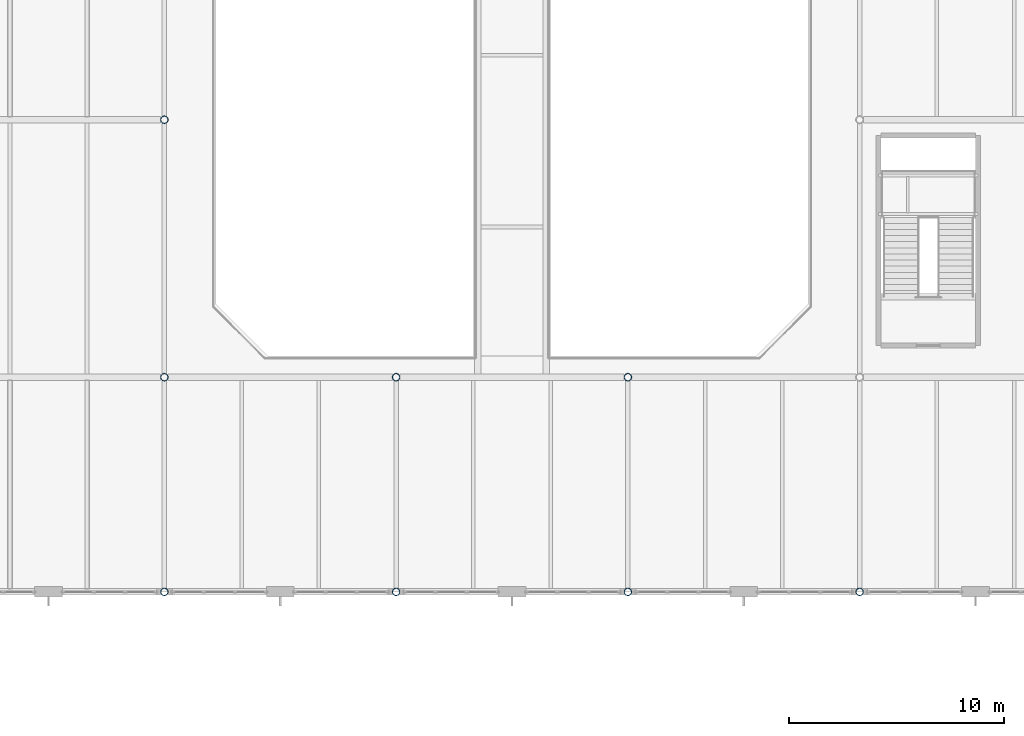
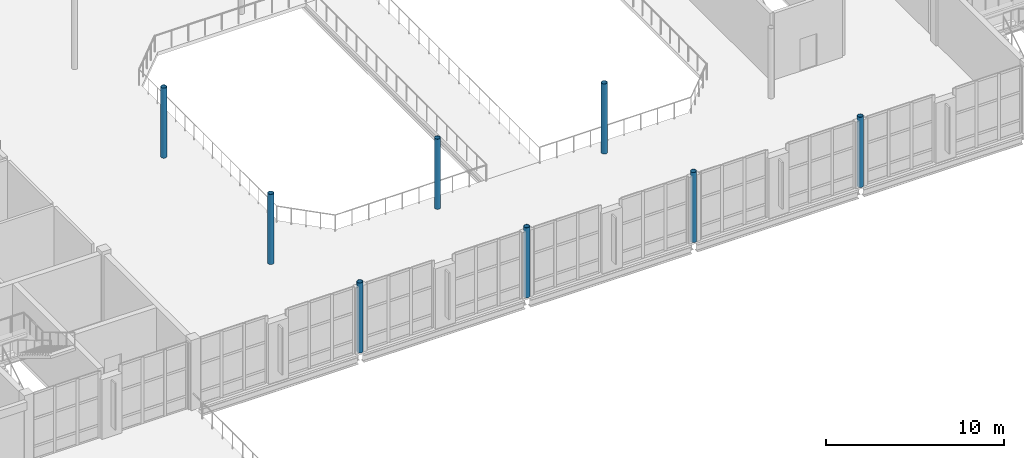
# One storey, part 4 of 100: 8 columns.
"""IFC4 building model written with IfcOpenShell, lengths in metres."""

import ifcopenshell
import ifcopenshell.guid

model = None  # the IFC model being written
_history = None  # IfcOwnerHistory: only IFC2X3 demands one
_inside = {}  # id of a spatial element -> (the spatial element, [elements in it])
_under = {}  # id of a project, library or spatial element -> (it, [spatial elements below it])
_declared = {}  # id of a project -> (the project, [libraries it declares])
_typed = {}  # id of a type object -> (the type object, [elements of that type])
_made_of = {}  # id of a material, layer set ... -> (it, [elements and type objects made of it])


def new_model(schema):
    """Start an empty IFC model of exactly this schema.

    Asked for "IFC4X3", IfcOpenShell would pick the latest addendum, in which some entities
    have other attributes; the version numbers below select the first issue.
    IFC2X3 requires an IfcOwnerHistory on every rooted entity: one is made here for all.
    """
    global model, _history
    if schema == "IFC4X3":
        model = ifcopenshell.file(schema_version=(4, 3, 0, 0))
    else:
        model = ifcopenshell.file(schema=schema)
    _inside.clear()
    _under.clear()
    _declared.clear()
    _typed.clear()
    _made_of.clear()
    _history = None
    if model.schema == "IFC2X3":
        org = make("IfcOrganization", Name="unknown")
        user = make(
            "IfcPersonAndOrganization",
            ThePerson=make("IfcPerson", FamilyName="unknown"),
            TheOrganization=org,
        )
        app = make(
            "IfcApplication",
            ApplicationDeveloper=org,
            Version="unknown",
            ApplicationFullName="unknown",
            ApplicationIdentifier="unknown",
        )
        _history = make(
            "IfcOwnerHistory",
            OwningUser=user,
            OwningApplication=app,
            ChangeAction="ADDED",
            CreationDate=0,
        )
    return model


def make(cls, **values):
    """One entity of the class cls with the attributes given. An attribute that is None is left unset."""
    return model.create_entity(
        cls, **{name: value for name, value in values.items() if value is not None}
    )


def rooted(cls, **values):
    """An entity with a GlobalId (a new one), such as an element, a storey or a relation."""
    return make(cls, GlobalId=ifcopenshell.guid.new(), OwnerHistory=_history, **values)


def si_unit(unit_type, name, prefix=None):
    """IfcSIUnit, for example si_unit("LENGTHUNIT", "METRE", prefix="MILLI")."""
    return make("IfcSIUnit", UnitType=unit_type, Prefix=prefix, Name=name)


def assignment(units):
    """IfcUnitAssignment: the units of a project."""
    return None if units is None else make("IfcUnitAssignment", Units=units)


def point(xyz):
    """IfcCartesianPoint."""
    return None if xyz is None else make("IfcCartesianPoint", Coordinates=xyz)


def direction(xyz):
    """IfcDirection."""
    return None if xyz is None else make("IfcDirection", DirectionRatios=xyz)


def frame(location, z_axis=None, x_axis=None):
    """IfcAxis2Placement3D, a coordinate frame: its origin and axes. An axis left out is left unset."""
    return make(
        "IfcAxis2Placement3D",
        Location=point(location),
        Axis=direction(z_axis),
        RefDirection=direction(x_axis),
    )


def frame_2d(location, x_axis=None):
    """IfcAxis2Placement2D, a coordinate frame in the plane: its origin and x axis."""
    return make(
        "IfcAxis2Placement2D", Location=point(location), RefDirection=direction(x_axis)
    )


def origin():
    """The frame at (0, 0, 0) with its axes left unset."""
    return frame((0.0, 0.0, 0.0))


def origin_2d():
    """The frame at (0, 0) in the plane with its x axis left unset."""
    return frame_2d((0.0, 0.0))


def place(relative_to, where):
    """IfcLocalPlacement: puts the frame where relative to a parent placement (None: the world)."""
    return make(
        "IfcLocalPlacement", PlacementRelTo=relative_to, RelativePlacement=where
    )


def context(
    kind, dimensions, precision=None, world=None, true_north=None, identifier=None
):
    """IfcGeometricRepresentationContext, for example the 3D "Model" context."""
    return make(
        "IfcGeometricRepresentationContext",
        ContextIdentifier=identifier,
        ContextType=kind,
        CoordinateSpaceDimension=dimensions,
        Precision=precision,
        WorldCoordinateSystem=world,
        TrueNorth=true_north,
    )


def subcontext(parent, identifier, kind, view, scale=None):
    """IfcGeometricRepresentationSubContext, for example "Body" below "Model"."""
    return make(
        "IfcGeometricRepresentationSubContext",
        ContextIdentifier=identifier,
        ContextType=kind,
        ParentContext=parent,
        TargetScale=scale,
        TargetView=view,
    )


def project(units=None, contexts=None):
    """IfcProject with its units and contexts."""
    return rooted(
        "IfcProject",
        Name="project",
        RepresentationContexts=contexts,
        UnitsInContext=assignment(units),
    )


def spatial(cls, under=None, at=None, **own):
    """A site, building, storey or space (cls), placed at a placement, below another one or the project."""
    s = rooted(cls, ObjectPlacement=at, **own)
    if under is not None:
        _under.setdefault(under.id(), (under, []))[1].append(s)
    return s


def profile(cls, at=None, kind="AREA", **sizes):
    """A parametric profile (cls). Its sizes go by their IFC names, for example OverallWidth=200.0."""
    return make(cls, ProfileType=kind, Position=at, **sizes)


def hollow_circle(**sizes):
    """IfcCircleHollowProfileDef."""
    return profile("IfcCircleHollowProfileDef", **sizes)


def extrude(swept, where, along, depth):
    """IfcExtrudedAreaSolid: the profile swept, set in the frame where, extruded along a direction by depth."""
    return make(
        "IfcExtrudedAreaSolid",
        SweptArea=swept,
        Position=where,
        ExtrudedDirection=direction(along),
        Depth=depth,
    )


def shape(context_of_items, identifier, shape_type, items):
    """IfcShapeRepresentation: the items that make up one representation, for example the "Body"."""
    return make(
        "IfcShapeRepresentation",
        ContextOfItems=context_of_items,
        RepresentationIdentifier=identifier,
        RepresentationType=shape_type,
        Items=items,
    )


def material(Name=None, Category=None):
    """IfcMaterial."""
    return make("IfcMaterial", Name=Name, Category=Category)


def material_profile(
    of_material, cross_section, Name=None, Category=None, Priority=None
):
    """IfcMaterialProfile: a cross section and its material."""
    return make(
        "IfcMaterialProfile",
        Name=Name,
        Material=of_material,
        Profile=cross_section,
        Priority=Priority,
        Category=Category,
    )


def profile_set(profiles, Name=None, composite=None):
    """IfcMaterialProfileSet."""
    return make(
        "IfcMaterialProfileSet",
        Name=Name,
        MaterialProfiles=profiles,
        CompositeProfile=composite,
    )


def made_of(thing, what):
    """Note that an element or type object is made of a material, layer set ...; save() writes the relation."""
    if what is not None:
        _made_of.setdefault(what.id(), (what, []))[1].append(thing)
    return thing


def type_object(cls, material=None, **own):
    """A type object (cls), such as IfcWallType, which elements share."""
    return made_of(rooted(cls, **own), material)


def element(
    cls,
    number,
    at=None,
    inside=None,
    cuts=None,
    type_object=None,
    material=None,
    context=None,
    identifier="Body",
    shape_type=None,
    held_by="IfcProductDefinitionShape",
    body=None,
    shapes=None,
    **own,
):
    """One element of the class cls, such as IfcWall. Its Tag is "e" and its number.

    at: its placement. inside: the storey or other place that contains it. cuts: it is an
    opening in that element (IfcRelVoidsElement). A single representation is given by context,
    identifier, shape_type and body (its items); several are given by shapes. held_by: the class
    of the entity that holds the representations. save() writes the other relations.
    """
    e = rooted(cls, Tag="e%d" % number, ObjectPlacement=at, **own)
    if body is not None:
        shapes = [shape(context, identifier, shape_type, body)]
    if shapes is not None:
        e.Representation = make(held_by, Representations=shapes)
    if inside is not None:
        _inside.setdefault(inside.id(), (inside, []))[1].append(e)
    if cuts is not None:
        rooted(
            "IfcRelVoidsElement", RelatingBuildingElement=cuts, RelatedOpeningElement=e
        )
    if type_object is not None:
        _typed.setdefault(type_object.id(), (type_object, []))[1].append(e)
    return made_of(e, material)


def aggregate(whole, parts):
    """IfcRelAggregates: a whole, such as a stair, and the parts it consists of."""
    return rooted("IfcRelAggregates", RelatingObject=whole, RelatedObjects=parts)


def save(model, path):
    """Write the relations noted so far, then the file.

    IfcRelAggregates (storeys below a building ...), IfcRelContainedInSpatialStructure (elements
    in a storey), IfcRelDefinesByType, IfcRelAssociatesMaterial and IfcRelDeclares: one each for
    every whole, place, type object, material and project.
    """
    for whole, parts in _under.values():
        aggregate(whole, parts)
    for where, things in _inside.values():
        rooted(
            "IfcRelContainedInSpatialStructure",
            RelatedElements=things,
            RelatingStructure=where,
        )
    for kind, things in _typed.values():
        rooted("IfcRelDefinesByType", RelatedObjects=things, RelatingType=kind)
    for what, things in _made_of.values():
        rooted("IfcRelAssociatesMaterial", RelatedObjects=things, RelatingMaterial=what)
    for by, libraries in _declared.values():
        rooted("IfcRelDeclares", RelatingContext=by, RelatedDefinitions=libraries)
    model.write(path)


model = new_model("IFC4")

# Units and contexts
model_context = context("Model", 3, precision=1e-05, world=origin(), true_north=direction((0.0, 1.0)))
body_context = subcontext(model_context, "Body", "Model", "MODEL_VIEW")
ifc_project = project(units=[si_unit("LENGTHUNIT", "METRE"), si_unit("AREAUNIT", "SQUARE_METRE"), si_unit("VOLUMEUNIT", "CUBIC_METRE"), si_unit("PLANEANGLEUNIT", "RADIAN"), si_unit("MASSUNIT", "GRAM", prefix="KILO")], contexts=[model_context])

# Site, building, storey
site_placement = place(None, origin())
site = spatial("IfcSite", under=ifc_project, at=site_placement, CompositionType="ELEMENT")
building_placement = place(site_placement, origin())
building = spatial("IfcBuilding", under=site, at=building_placement, Name="Tasgan Crest Museum", CompositionType="ELEMENT")
storey_placement = place(building_placement, frame((0.0, 0.0, 9.60009765625)))
storey = spatial("IfcBuildingStorey", under=building, at=storey_placement, Name="L02", CompositionType="ELEMENT", Elevation=9.60009765625)

# Columns
ifc_material = material(Name="Steel S355K2", Category="steel")
ifc_material_profile = material_profile(ifc_material, hollow_circle(Radius=0.177734375, WallThickness=0.01611328125, at=origin_2d()), Name="CHS 355.6x16")
ifc_profile_set = profile_set([ifc_material_profile], Name="Steel S355K2")
column_type = type_object("IfcColumnType", Name="COL-CHS355", PredefinedType="COLUMN", material=ifc_profile_set)
for number, where, z_axis, x_axis, name in (
    (1, (64.800048828125, 40.0, 0.0), (0.0, 0.0, 1.0), (1.0, 0.0, 0.0), "Column 7/E L02"),
    (2, (64.800048828125, 50.0, 0.0), (0.0, 0.0, 1.0), (1.0, 0.0, 0.0), "Column 7/F L02"),
    (3, (64.800048828125, 62.0, 0.0), (0.0, 0.0, 1.0), (1.0, 0.0, 0.0), "Column 7/G L02"),
    (4, (75.60009765625, 40.0, 0.0), (0.0, 0.0, 1.0), (1.0, 0.0, 0.0), "Column 8/E L02"),
    (5, (75.60009765625, 50.0, 0.0), (0.0, 0.0, 1.0), (1.0, 0.0, 0.0), "Column 8/F L02"),
    (6, (86.39990234375, 40.0, 0.0), (0.0, 0.0, 1.0), (1.0, 0.0, 0.0), "Column 9/E L02"),
    (7, (86.39990234375, 50.0, 0.0), (0.0, 0.0, 1.0), (1.0, 0.0, 0.0), "Column 9/F L02"),
    (8, (97.199951171875, 40.0, 0.0), (0.0, 0.0, 1.0), (1.0, 0.0, 0.0), "Column 10/E L02"),
):
    element("IfcColumn", number, at=place(storey_placement, frame(where, z_axis=z_axis, x_axis=x_axis)), inside=storey, type_object=column_type, Name=name, PredefinedType="COLUMN", context=body_context, shape_type="SweptSolid", body=[
        extrude(hollow_circle(Radius=0.177734375, WallThickness=0.01611328125, at=origin_2d()), origin(), (0.0, 0.0, 1.0), 4.7998046875),
    ])

save(model, "model.ifc")
